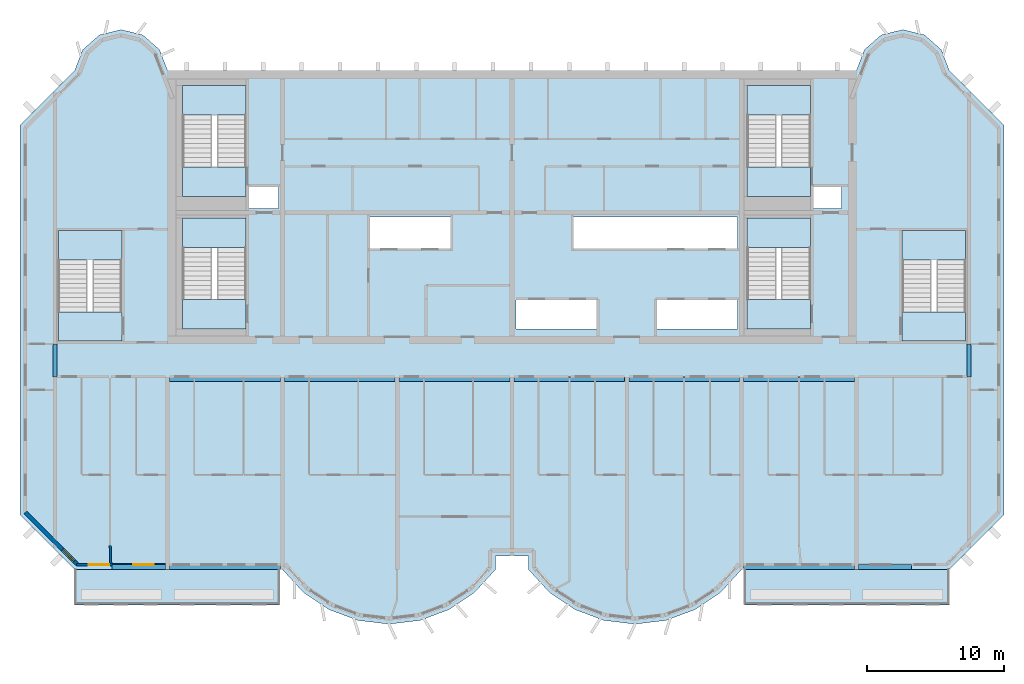
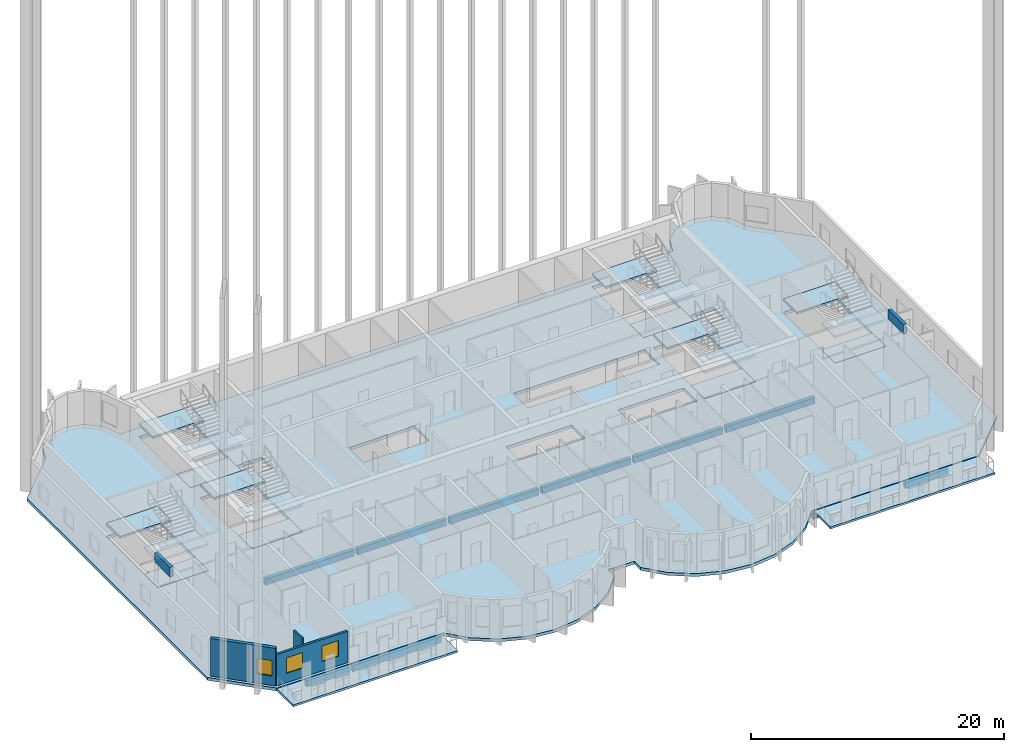
# One storey, part 1 of 13: 21 slabs, 12 beams, 3 walls, 3 windows, 3 openings, 6 elements without a shape of their own.
"""IFC4 building model written with IfcOpenShell, lengths in metres."""

from ifc_helpers import new_model, si_unit, direction, frame, frame_2d, origin, origin_2d, place, context, subcontext, project, spatial, polyline, rectangle, outline, extrude, source, transform, mapped, material, layer, layer_set, material_profile, profile_set, type_object, element, fill, aggregate, save


model = new_model("IFC4")

# Units and contexts
model_context = context("Model", 3, precision=1e-05, world=origin(), true_north=direction((0.0, 1.0)))
body_context = subcontext(model_context, "Body", "Model", "MODEL_VIEW")
ifc_project = project(units=[si_unit("LENGTHUNIT", "METRE"), si_unit("AREAUNIT", "SQUARE_METRE"), si_unit("VOLUMEUNIT", "CUBIC_METRE"), si_unit("PLANEANGLEUNIT", "RADIAN"), si_unit("MASSUNIT", "GRAM", prefix="KILO")], contexts=[model_context])

# Site, building, storey
site_placement = place(None, origin())
site = spatial("IfcSite", under=ifc_project, at=site_placement, CompositionType="ELEMENT")
building_placement = place(site_placement, origin())
building = spatial("IfcBuilding", under=site, at=building_placement, Name="Vanashikhar Sky Hotel", CompositionType="ELEMENT")
storey_placement = place(building_placement, frame((0.0, 0.0, 214.0)))
storey = spatial("IfcBuildingStorey", under=building, at=storey_placement, Name="L51", CompositionType="ELEMENT", Elevation=214.0)

# Beams
ifc_material_1 = material(Name="Concrete M50", Category="concrete")
ifc_material_profile_1 = material_profile(ifc_material_1, rectangle(XDim=0.300048828125, YDim=0.89990234375, at=origin_2d()))
ifc_profile_set_1 = profile_set([ifc_material_profile_1], Name="RC 300x900 beam Concrete M50")
beam_type_1 = type_object("IfcBeamType", Name="RC 300x900 beam Concrete M50", PredefinedType="LINTEL", material=ifc_profile_set_1)
shared_shape_1 = source(origin(), body_context, "Body", "SweptSolid", [
    extrude(rectangle(XDim=0.300048828125, YDim=0.89990234375, at=origin_2d()), origin(), (0.0, 0.0, 1.0), 2.39990234375),
])
for number, where, z_axis, x_axis, name in (
    (1, (16.949951171875, 19.60009765625, 3.169921875), (0.0, 1.0, 0.0), (-1.0, 0.0, 0.0), "LB-L51-XW03"),
    (2, (83.85009765625, 19.60009765625, 3.169921875), (0.0, 1.0, 0.0), (-1.0, 0.0, 0.0), "LB-L51-XW11"),
):
    element("IfcBeam", number, at=place(storey_placement, frame(where, z_axis=z_axis, x_axis=x_axis)), inside=storey, type_object=beam_type_1, Name=name, PredefinedType="LINTEL", context=body_context, shape_type="MappedRepresentation", body=[
        mapped(shared_shape_1, transform((0.0, 0.0, 0.0), scale=1.0)),
    ])
ifc_material_profile_2 = material_profile(ifc_material_1, rectangle(XDim=0.35009765625, YDim=0.60009765625, at=origin_2d()))
ifc_profile_set_2 = profile_set([ifc_material_profile_2], Name="RC 350x600 beam Concrete M50")
beam_type_2 = type_object("IfcBeamType", Name="RC 350x600 beam Concrete M50", PredefinedType="SPANDREL", material=ifc_profile_set_2)
shared_shape_2 = source(origin(), body_context, "Body", "SweptSolid", [
    extrude(rectangle(XDim=0.35009765625, YDim=0.60009765625, at=origin_2d()), origin(), (0.0, 0.0, 1.0), 8.099853515625),
])
for number, where, z_axis, x_axis, name in (
    (3, (25.35009765625, 5.675048828125, -0.580078125), (1.0, 0.0, 0.0), (0.0, 1.0, 0.0), "EB-L51-F01"),
    (4, (67.35009765625, 5.675048828125, -0.580078125), (1.0, 0.0, 0.0), (0.0, 1.0, 0.0), "EB-L51-F03"),
    (5, (25.35009765625, 19.425048828125, -0.580078125), (1.0, 0.0, 0.0), (0.0, 1.0, 0.0), "CB-L51-01"),
    (6, (50.550048828125, 19.425048828125, -0.580078125), (1.0, 0.0, 0.0), (0.0, 1.0, 0.0), "CB-L51-04"),
    (7, (67.35009765625, 19.425048828125, -0.580078125), (1.0, 0.0, 0.0), (0.0, 1.0, 0.0), "CB-L51-06"),
):
    element("IfcBeam", number, at=place(storey_placement, frame(where, z_axis=z_axis, x_axis=x_axis)), inside=storey, type_object=beam_type_2, Name=name, PredefinedType="SPANDREL", context=body_context, shape_type="MappedRepresentation", body=[
        mapped(shared_shape_2, transform((0.0, 0.0, 0.0), scale=1.0)),
    ])
ifc_material_profile_3 = material_profile(ifc_material_1, rectangle(XDim=0.35009765625, YDim=0.60009765625, at=origin_2d()))
ifc_profile_set_3 = profile_set([ifc_material_profile_3], Name="RC 350x600 cantilever beam Concrete M50")
beam_type_3 = type_object("IfcBeamType", Name="RC 350x600 cantilever beam Concrete M50", PredefinedType="SPANDREL", material=ifc_profile_set_3)
shared_shape_3 = source(origin(), body_context, "Body", "SweptSolid", [
    extrude(rectangle(XDim=0.35009765625, YDim=0.60009765625, at=origin_2d()), origin(), (0.0, 0.0, 1.0), 3.900146484375),
])
beam_1_placement = place(storey_placement, frame((21.14990234375, 5.675048828125, -0.580078125), z_axis=(1.0, 0.0, 0.0), x_axis=(0.0, 1.0, 0.0)))
element("IfcBeam", 8, at=beam_1_placement, inside=storey, type_object=beam_type_3, Name="EB-L51-F02", PredefinedType="SPANDREL", context=body_context, shape_type="MappedRepresentation", body=[
    mapped(shared_shape_3, transform((0.0, 0.0, 0.0), scale=1.0)),
])
shared_shape_4 = source(origin(), body_context, "Body", "SweptSolid", [
    extrude(rectangle(XDim=0.35009765625, YDim=0.60009765625, at=origin_2d()), origin(), (0.0, 0.0, 1.0), 3.89990234375),
])
beam_2_placement = place(storey_placement, frame((75.75, 5.675048828125, -0.580078125), z_axis=(1.0, 0.0, 0.0), x_axis=(0.0, 1.0, 0.0)))
element("IfcBeam", 9, at=beam_2_placement, inside=storey, type_object=beam_type_3, Name="EB-L51-F04", PredefinedType="SPANDREL", context=body_context, shape_type="MappedRepresentation", body=[
    mapped(shared_shape_4, transform((0.0, 0.0, 0.0), scale=1.0)),
])
shared_shape_5 = source(origin(), body_context, "Body", "SweptSolid", [
    extrude(rectangle(XDim=0.35009765625, YDim=0.60009765625, at=origin_2d()), origin(), (0.0, 0.0, 1.0), 8.10009765625),
])
for number, where, z_axis, x_axis, name in (
    (10, (33.75, 19.425048828125, -0.580078125), (1.0, 0.0, 0.0), (0.0, 1.0, 0.0), "CB-L51-02"),
    (11, (42.14990234375, 19.425048828125, -0.580078125), (1.0, 0.0, 0.0), (0.0, 1.0, 0.0), "CB-L51-03"),
    (12, (58.949951171875, 19.425048828125, -0.580078125), (1.0, 0.0, 0.0), (0.0, 1.0, 0.0), "CB-L51-05"),
):
    element("IfcBeam", number, at=place(storey_placement, frame(where, z_axis=z_axis, x_axis=x_axis)), inside=storey, type_object=beam_type_2, Name=name, PredefinedType="SPANDREL", context=body_context, shape_type="MappedRepresentation", body=[
        mapped(shared_shape_5, transform((0.0, 0.0, 0.0), scale=1.0)),
    ])

# Slabs
ifc_material_2 = material(Name="Concrete M40", Category="concrete")
ifc_layer_1 = layer(ifc_material_2, 0.280029296875)
ifc_layer_set_1 = layer_set([ifc_layer_1], Name="Floor slab 280 mm")
slab_type_1 = type_object("IfcSlabType", Name="Floor slab 280 mm", PredefinedType="FLOOR", material=ifc_layer_set_1)
shared_shape_6 = source(origin(), body_context, "Body", "SweptSolid", [
    extrude(outline(polyline([(49.199951171875, 5.5), (49.199951171875, 6.5), (51.60009765625, 6.5), (51.60009765625, 5.5), (53.133056640625, 3.825927734375), (55.01708984375, 2.55810546875), (57.14599609375, 1.76806640625), (59.39990234375, 1.5), (61.654052734375, 1.76806640625), (63.782958984375, 2.55810546875), (65.6669921875, 3.825927734375), (67.199951171875, 5.5), (82.39990234375, 5.5), (86.39990234375, 9.5), (86.39990234375, 38.0), (82.39990234375, 42.0), (81.81494140625, 43.527099609375), (80.587890625, 44.610107421875), (79.0, 45.0), (77.412109375, 44.610107421875), (76.18505859375, 43.527099609375), (75.60009765625, 42.0), (25.199951171875, 42.0), (24.614990234375, 43.527099609375), (23.387939453125, 44.610107421875), (21.800048828125, 45.0), (20.2119140625, 44.610107421875), (18.985107421875, 43.527099609375), (18.39990234375, 42.0), (14.39990234375, 38.0), (14.39990234375, 9.5), (18.39990234375, 5.5), (33.60009765625, 5.5), (35.133056640625, 3.825927734375), (37.01708984375, 2.55810546875), (39.14599609375, 1.76806640625), (41.39990234375, 1.5), (43.654052734375, 1.76806640625), (45.782958984375, 2.55810546875), (47.6669921875, 3.825927734375), (49.199951171875, 5.5)]), holes=[polyline([(33.300048828125, 33.60009765625), (31.050048828125, 33.60009765625), (31.050048828125, 31.89990234375), (33.300048828125, 31.89990234375), (33.300048828125, 33.60009765625)]), polyline([(39.89990234375, 31.300048828125), (39.89990234375, 29.0), (45.89990234375, 29.0), (45.89990234375, 31.300048828125), (39.89990234375, 31.300048828125)]), polyline([(50.699951171875, 25.199951171875), (50.699951171875, 23.10009765625), (56.699951171875, 23.10009765625), (56.699951171875, 25.199951171875), (50.699951171875, 25.199951171875)]), polyline([(66.89990234375, 29.0), (66.89990234375, 31.300048828125), (54.89990234375, 31.300048828125), (54.89990234375, 29.0), (66.89990234375, 29.0)]), polyline([(60.89990234375, 25.199951171875), (60.89990234375, 23.10009765625), (66.89990234375, 23.10009765625), (66.89990234375, 25.199951171875), (60.89990234375, 25.199951171875)]), polyline([(74.5, 33.60009765625), (72.35009765625, 33.60009765625), (72.35009765625, 31.89990234375), (74.5, 31.89990234375), (74.5, 33.60009765625)]), polyline([(30.949951171875, 23.10009765625), (30.949951171875, 31.199951171875), (26.300048828125, 31.199951171875), (26.300048828125, 23.10009765625), (30.949951171875, 23.10009765625)]), polyline([(72.25, 23.10009765625), (72.25, 31.199951171875), (67.60009765625, 31.199951171875), (67.60009765625, 23.10009765625), (72.25, 23.10009765625)]), polyline([(30.949951171875, 32.800048828125), (30.949951171875, 40.89990234375), (26.300048828125, 40.89990234375), (26.300048828125, 32.800048828125), (30.949951171875, 32.800048828125)]), polyline([(72.25, 32.800048828125), (72.25, 40.89990234375), (67.60009765625, 40.89990234375), (67.60009765625, 32.800048828125), (72.25, 32.800048828125)]), polyline([(83.60009765625, 22.199951171875), (83.60009765625, 30.300048828125), (78.949951171875, 30.300048828125), (78.949951171875, 22.199951171875), (83.60009765625, 22.199951171875)]), polyline([(21.85009765625, 22.199951171875), (21.85009765625, 30.300048828125), (17.199951171875, 30.300048828125), (17.199951171875, 22.199951171875), (21.85009765625, 22.199951171875)])]), origin(), (0.0, 0.0, 1.0), 0.280029296875),
])
slab_1_placement = place(storey_placement, frame((0.0, 0.0, -0.280029296875)))
element("IfcSlab", 13, at=slab_1_placement, inside=storey, type_object=slab_type_1, Name="Floor slab L51", PredefinedType="FLOOR", context=body_context, shape_type="MappedRepresentation", body=[
    mapped(shared_shape_6, transform((0.0, 0.0, 0.0), scale=1.0)),
])
ifc_layer_2 = layer(ifc_material_2, 0.199951171875)
ifc_layer_set_2 = layer_set([ifc_layer_2], Name="Balcony slab 200 mm")
slab_type_2 = type_object("IfcSlabType", Name="Balcony slab 200 mm", PredefinedType="USERDEFINED", material=ifc_layer_set_2)
shared_shape_7 = source(origin(), body_context, "Body", "SweptSolid", [
    extrude(outline(polyline([(18.39990234375, 2.89990234375), (33.39990234375, 2.89990234375), (33.39990234375, 5.5), (18.39990234375, 5.5), (18.39990234375, 2.89990234375)])), origin(), (0.0, 0.0, 1.0), 0.199951171875),
])
slab_2_placement = place(storey_placement, frame((0.0, 0.0, -0.25)))
element("IfcSlab", 14, at=slab_2_placement, inside=storey, type_object=slab_type_2, Name="Balcony slab L51 1", ObjectType="BALCONY", PredefinedType="USERDEFINED", context=body_context, shape_type="MappedRepresentation", body=[
    mapped(shared_shape_7, transform((0.0, 0.0, 0.0), scale=1.0)),
])
shared_shape_8 = source(origin(), body_context, "Body", "SweptSolid", [
    extrude(outline(polyline([(67.39990234375, 2.89990234375), (82.39990234375, 2.89990234375), (82.39990234375, 5.5), (67.39990234375, 5.5), (67.39990234375, 2.89990234375)])), origin(), (0.0, 0.0, 1.0), 0.199951171875),
])
slab_3_placement = place(storey_placement, frame((0.0, 0.0, -0.25)))
element("IfcSlab", 15, at=slab_3_placement, inside=storey, type_object=slab_type_2, Name="Balcony slab L51 2", ObjectType="BALCONY", PredefinedType="USERDEFINED", context=body_context, shape_type="MappedRepresentation", body=[
    mapped(shared_shape_8, transform((0.0, 0.0, 0.0), scale=1.0)),
])

# Stair, slabs
stair_type = type_object("IfcStairType", Name="Exit stair 2150", PredefinedType="DOUBLE_RETURN_STAIR", material=ifc_material_2)
stair_1_placement = place(storey_placement, origin())
stair_1 = element("IfcStair", 16, at=stair_1_placement, inside=storey, type_object=stair_type, Name="L51 Exit stair 1", PredefinedType="DOUBLE_RETURN_STAIR")
ifc_layer_3 = layer(ifc_material_2, 0.199951171875)
ifc_layer_set_3 = layer_set([ifc_layer_3], Name="Stair landing 200")
slab_type_3 = type_object("IfcSlabType", Name="Stair landing 200", PredefinedType="LANDING", material=ifc_layer_set_3)
shared_shape_9 = source(origin(), body_context, "Body", "SweptSolid", [
    extrude(outline(polyline([(30.949951171875, 29.050048828125), (30.949951171875, 31.199951171875), (26.300048828125, 31.199951171875), (26.300048828125, 29.050048828125), (30.949951171875, 29.050048828125)])), origin(), (0.0, 0.0, 1.0), 0.199951171875),
])
slab_4_placement = place(storey_placement, frame((0.0, 0.0, 1.10009765625)))
slab_4 = element("IfcSlab", 17, at=slab_4_placement, type_object=slab_type_3, Name="ST-C1 landing 1", PredefinedType="LANDING", context=body_context, shape_type="MappedRepresentation", body=[
    mapped(shared_shape_9, transform((0.0, 0.0, 0.0), scale=1.0)),
])
shared_shape_10 = source(origin(), body_context, "Body", "SweptSolid", [
    extrude(outline(polyline([(30.949951171875, 23.10009765625), (30.949951171875, 25.25), (26.300048828125, 25.25), (26.300048828125, 23.10009765625), (30.949951171875, 23.10009765625)])), origin(), (0.0, 0.0, 1.0), 0.2001953125),
])
slab_5_placement = place(storey_placement, frame((0.0, 0.0, 2.39990234375)))
slab_5 = element("IfcSlab", 18, at=slab_5_placement, type_object=slab_type_3, Name="ST-C1 landing 2", PredefinedType="LANDING", context=body_context, shape_type="MappedRepresentation", body=[
    mapped(shared_shape_10, transform((0.0, 0.0, 0.0), scale=1.0)),
])
aggregate(stair_1, [slab_4, slab_5])

# Slab
ifc_layer_4 = layer(ifc_material_2, 0.280029296875)
ifc_layer_set_4 = layer_set([ifc_layer_4], Name="Stair floor landing 280")
slab_type_4 = type_object("IfcSlabType", Name="Stair floor landing 280", PredefinedType="LANDING", material=ifc_layer_set_4)
shared_shape_11 = source(origin(), body_context, "Body", "SweptSolid", [
    extrude(outline(polyline([(30.949951171875, 23.10009765625), (30.949951171875, 25.25), (26.300048828125, 25.25), (26.300048828125, 23.10009765625), (30.949951171875, 23.10009765625)])), origin(), (0.0, 0.0, 1.0), 0.280029296875),
])
slab_6_placement = place(storey_placement, frame((0.0, 0.0, -0.280029296875)))
element("IfcSlab", 19, at=slab_6_placement, inside=storey, type_object=slab_type_4, Name="Exit stair 1 floor landing", PredefinedType="LANDING", context=body_context, shape_type="MappedRepresentation", body=[
    mapped(shared_shape_11, transform((0.0, 0.0, 0.0), scale=1.0)),
])

# Stair, slabs
stair_2_placement = place(storey_placement, origin())
stair_2 = element("IfcStair", 20, at=stair_2_placement, inside=storey, type_object=stair_type, Name="L51 Exit stair 2", PredefinedType="DOUBLE_RETURN_STAIR")
shared_shape_12 = source(origin(), body_context, "Body", "SweptSolid", [
    extrude(outline(polyline([(72.25, 29.050048828125), (72.25, 31.199951171875), (67.60009765625, 31.199951171875), (67.60009765625, 29.050048828125), (72.25, 29.050048828125)])), origin(), (0.0, 0.0, 1.0), 0.199951171875),
])
slab_7_placement = place(storey_placement, frame((0.0, 0.0, 1.10009765625)))
slab_7 = element("IfcSlab", 21, at=slab_7_placement, type_object=slab_type_3, Name="ST-C2 landing 1", PredefinedType="LANDING", context=body_context, shape_type="MappedRepresentation", body=[
    mapped(shared_shape_12, transform((0.0, 0.0, 0.0), scale=1.0)),
])
shared_shape_13 = source(origin(), body_context, "Body", "SweptSolid", [
    extrude(outline(polyline([(72.25, 23.10009765625), (72.25, 25.25), (67.60009765625, 25.25), (67.60009765625, 23.10009765625), (72.25, 23.10009765625)])), origin(), (0.0, 0.0, 1.0), 0.2001953125),
])
slab_8_placement = place(storey_placement, frame((0.0, 0.0, 2.39990234375)))
slab_8 = element("IfcSlab", 22, at=slab_8_placement, type_object=slab_type_3, Name="ST-C2 landing 2", PredefinedType="LANDING", context=body_context, shape_type="MappedRepresentation", body=[
    mapped(shared_shape_13, transform((0.0, 0.0, 0.0), scale=1.0)),
])
aggregate(stair_2, [slab_7, slab_8])

# Slab
shared_shape_14 = source(origin(), body_context, "Body", "SweptSolid", [
    extrude(outline(polyline([(72.25, 23.10009765625), (72.25, 25.25), (67.60009765625, 25.25), (67.60009765625, 23.10009765625), (72.25, 23.10009765625)])), origin(), (0.0, 0.0, 1.0), 0.280029296875),
])
slab_9_placement = place(storey_placement, frame((0.0, 0.0, -0.280029296875)))
element("IfcSlab", 23, at=slab_9_placement, inside=storey, type_object=slab_type_4, Name="Exit stair 2 floor landing", PredefinedType="LANDING", context=body_context, shape_type="MappedRepresentation", body=[
    mapped(shared_shape_14, transform((0.0, 0.0, 0.0), scale=1.0)),
])

# Stair, slabs
stair_3_placement = place(storey_placement, origin())
stair_3 = element("IfcStair", 24, at=stair_3_placement, inside=storey, type_object=stair_type, Name="L51 Exit stair 3", PredefinedType="DOUBLE_RETURN_STAIR")
shared_shape_15 = source(origin(), body_context, "Body", "SweptSolid", [
    extrude(outline(polyline([(21.85009765625, 28.14990234375), (21.85009765625, 30.300048828125), (17.199951171875, 30.300048828125), (17.199951171875, 28.14990234375), (21.85009765625, 28.14990234375)])), origin(), (0.0, 0.0, 1.0), 0.199951171875),
])
slab_10_placement = place(storey_placement, frame((0.0, 0.0, 1.10009765625)))
slab_10 = element("IfcSlab", 25, at=slab_10_placement, type_object=slab_type_3, Name="ST-W landing 1", PredefinedType="LANDING", context=body_context, shape_type="MappedRepresentation", body=[
    mapped(shared_shape_15, transform((0.0, 0.0, 0.0), scale=1.0)),
])
shared_shape_16 = source(origin(), body_context, "Body", "SweptSolid", [
    extrude(outline(polyline([(21.85009765625, 22.199951171875), (21.85009765625, 24.35009765625), (17.199951171875, 24.35009765625), (17.199951171875, 22.199951171875), (21.85009765625, 22.199951171875)])), origin(), (0.0, 0.0, 1.0), 0.2001953125),
])
slab_11_placement = place(storey_placement, frame((0.0, 0.0, 2.39990234375)))
slab_11 = element("IfcSlab", 26, at=slab_11_placement, type_object=slab_type_3, Name="ST-W landing 2", PredefinedType="LANDING", context=body_context, shape_type="MappedRepresentation", body=[
    mapped(shared_shape_16, transform((0.0, 0.0, 0.0), scale=1.0)),
])
aggregate(stair_3, [slab_10, slab_11])

# Slab
shared_shape_17 = source(origin(), body_context, "Body", "SweptSolid", [
    extrude(outline(polyline([(21.85009765625, 22.199951171875), (21.85009765625, 24.35009765625), (17.199951171875, 24.35009765625), (17.199951171875, 22.199951171875), (21.85009765625, 22.199951171875)])), origin(), (0.0, 0.0, 1.0), 0.280029296875),
])
slab_12_placement = place(storey_placement, frame((0.0, 0.0, -0.280029296875)))
element("IfcSlab", 27, at=slab_12_placement, inside=storey, type_object=slab_type_4, Name="Exit stair 3 floor landing", PredefinedType="LANDING", context=body_context, shape_type="MappedRepresentation", body=[
    mapped(shared_shape_17, transform((0.0, 0.0, 0.0), scale=1.0)),
])

# Stair, slabs
stair_4_placement = place(storey_placement, origin())
stair_4 = element("IfcStair", 28, at=stair_4_placement, inside=storey, type_object=stair_type, Name="L51 Exit stair 4", PredefinedType="DOUBLE_RETURN_STAIR")
shared_shape_18 = source(origin(), body_context, "Body", "SweptSolid", [
    extrude(outline(polyline([(83.60009765625, 28.14990234375), (83.60009765625, 30.300048828125), (78.949951171875, 30.300048828125), (78.949951171875, 28.14990234375), (83.60009765625, 28.14990234375)])), origin(), (0.0, 0.0, 1.0), 0.199951171875),
])
slab_13_placement = place(storey_placement, frame((0.0, 0.0, 1.10009765625)))
slab_13 = element("IfcSlab", 29, at=slab_13_placement, type_object=slab_type_3, Name="ST-E landing 1", PredefinedType="LANDING", context=body_context, shape_type="MappedRepresentation", body=[
    mapped(shared_shape_18, transform((0.0, 0.0, 0.0), scale=1.0)),
])
shared_shape_19 = source(origin(), body_context, "Body", "SweptSolid", [
    extrude(outline(polyline([(83.60009765625, 22.199951171875), (83.60009765625, 24.35009765625), (78.949951171875, 24.35009765625), (78.949951171875, 22.199951171875), (83.60009765625, 22.199951171875)])), origin(), (0.0, 0.0, 1.0), 0.2001953125),
])
slab_14_placement = place(storey_placement, frame((0.0, 0.0, 2.39990234375)))
slab_14 = element("IfcSlab", 30, at=slab_14_placement, type_object=slab_type_3, Name="ST-E landing 2", PredefinedType="LANDING", context=body_context, shape_type="MappedRepresentation", body=[
    mapped(shared_shape_19, transform((0.0, 0.0, 0.0), scale=1.0)),
])
aggregate(stair_4, [slab_13, slab_14])

# Slab
shared_shape_20 = source(origin(), body_context, "Body", "SweptSolid", [
    extrude(outline(polyline([(83.60009765625, 22.199951171875), (83.60009765625, 24.35009765625), (78.949951171875, 24.35009765625), (78.949951171875, 22.199951171875), (83.60009765625, 22.199951171875)])), origin(), (0.0, 0.0, 1.0), 0.280029296875),
])
slab_15_placement = place(storey_placement, frame((0.0, 0.0, -0.280029296875)))
element("IfcSlab", 31, at=slab_15_placement, inside=storey, type_object=slab_type_4, Name="Exit stair 4 floor landing", PredefinedType="LANDING", context=body_context, shape_type="MappedRepresentation", body=[
    mapped(shared_shape_20, transform((0.0, 0.0, 0.0), scale=1.0)),
])

# Stair, slabs
stair_5_placement = place(storey_placement, origin())
stair_5 = element("IfcStair", 32, at=stair_5_placement, inside=storey, type_object=stair_type, Name="L51 Exit stair 5", PredefinedType="DOUBLE_RETURN_STAIR")
shared_shape_21 = source(origin(), body_context, "Body", "SweptSolid", [
    extrude(outline(polyline([(30.949951171875, 38.75), (30.949951171875, 40.89990234375), (26.300048828125, 40.89990234375), (26.300048828125, 38.75), (30.949951171875, 38.75)])), origin(), (0.0, 0.0, 1.0), 0.199951171875),
])
slab_16_placement = place(storey_placement, frame((0.0, 0.0, 1.10009765625)))
slab_16 = element("IfcSlab", 33, at=slab_16_placement, type_object=slab_type_3, Name="ST-C3 landing 1", PredefinedType="LANDING", context=body_context, shape_type="MappedRepresentation", body=[
    mapped(shared_shape_21, transform((0.0, 0.0, 0.0), scale=1.0)),
])
shared_shape_22 = source(origin(), body_context, "Body", "SweptSolid", [
    extrude(outline(polyline([(30.949951171875, 32.800048828125), (30.949951171875, 34.949951171875), (26.300048828125, 34.949951171875), (26.300048828125, 32.800048828125), (30.949951171875, 32.800048828125)])), origin(), (0.0, 0.0, 1.0), 0.2001953125),
])
slab_17_placement = place(storey_placement, frame((0.0, 0.0, 2.39990234375)))
slab_17 = element("IfcSlab", 34, at=slab_17_placement, type_object=slab_type_3, Name="ST-C3 landing 2", PredefinedType="LANDING", context=body_context, shape_type="MappedRepresentation", body=[
    mapped(shared_shape_22, transform((0.0, 0.0, 0.0), scale=1.0)),
])
aggregate(stair_5, [slab_16, slab_17])

# Slab
shared_shape_23 = source(origin(), body_context, "Body", "SweptSolid", [
    extrude(outline(polyline([(30.949951171875, 32.800048828125), (30.949951171875, 34.949951171875), (26.300048828125, 34.949951171875), (26.300048828125, 32.800048828125), (30.949951171875, 32.800048828125)])), origin(), (0.0, 0.0, 1.0), 0.280029296875),
])
slab_18_placement = place(storey_placement, frame((0.0, 0.0, -0.280029296875)))
element("IfcSlab", 35, at=slab_18_placement, inside=storey, type_object=slab_type_4, Name="Exit stair 5 floor landing", PredefinedType="LANDING", context=body_context, shape_type="MappedRepresentation", body=[
    mapped(shared_shape_23, transform((0.0, 0.0, 0.0), scale=1.0)),
])

# Stair, slabs
stair_6_placement = place(storey_placement, origin())
stair_6 = element("IfcStair", 36, at=stair_6_placement, inside=storey, type_object=stair_type, Name="L51 Exit stair 6", PredefinedType="DOUBLE_RETURN_STAIR")
shared_shape_24 = source(origin(), body_context, "Body", "SweptSolid", [
    extrude(outline(polyline([(72.25, 38.75), (72.25, 40.89990234375), (67.60009765625, 40.89990234375), (67.60009765625, 38.75), (72.25, 38.75)])), origin(), (0.0, 0.0, 1.0), 0.199951171875),
])
slab_19_placement = place(storey_placement, frame((0.0, 0.0, 1.10009765625)))
slab_19 = element("IfcSlab", 37, at=slab_19_placement, type_object=slab_type_3, Name="ST-C4 landing 1", PredefinedType="LANDING", context=body_context, shape_type="MappedRepresentation", body=[
    mapped(shared_shape_24, transform((0.0, 0.0, 0.0), scale=1.0)),
])
shared_shape_25 = source(origin(), body_context, "Body", "SweptSolid", [
    extrude(outline(polyline([(72.25, 32.800048828125), (72.25, 34.949951171875), (67.60009765625, 34.949951171875), (67.60009765625, 32.800048828125), (72.25, 32.800048828125)])), origin(), (0.0, 0.0, 1.0), 0.2001953125),
])
slab_20_placement = place(storey_placement, frame((0.0, 0.0, 2.39990234375)))
slab_20 = element("IfcSlab", 38, at=slab_20_placement, type_object=slab_type_3, Name="ST-C4 landing 2", PredefinedType="LANDING", context=body_context, shape_type="MappedRepresentation", body=[
    mapped(shared_shape_25, transform((0.0, 0.0, 0.0), scale=1.0)),
])
aggregate(stair_6, [slab_19, slab_20])

# Slab
shared_shape_26 = source(origin(), body_context, "Body", "SweptSolid", [
    extrude(outline(polyline([(72.25, 32.800048828125), (72.25, 34.949951171875), (67.60009765625, 34.949951171875), (67.60009765625, 32.800048828125), (72.25, 32.800048828125)])), origin(), (0.0, 0.0, 1.0), 0.280029296875),
])
slab_21_placement = place(storey_placement, frame((0.0, 0.0, -0.280029296875)))
element("IfcSlab", 39, at=slab_21_placement, inside=storey, type_object=slab_type_4, Name="Exit stair 6 floor landing", PredefinedType="LANDING", context=body_context, shape_type="MappedRepresentation", body=[
    mapped(shared_shape_26, transform((0.0, 0.0, 0.0), scale=1.0)),
])

# Wall, openings, windows
ifc_layer_5 = layer(ifc_material_1, 0.199951171875)
ifc_layer_set_5 = layer_set([ifc_layer_5], Name="Front window wall 200")
wall_type_1 = type_object("IfcWallType", Name="Front window wall 200", PredefinedType="SOLIDWALL", material=ifc_layer_set_5)
shared_shape_27 = source(origin(), body_context, "Body", "SweptSolid", [
    extrude(rectangle(XDim=6.505126953125, YDim=0.199951171875, at=frame_2d((3.25244140625, 0.0))), origin(), (0.0, 0.0, 1.0), 3.02001953125),
])
wall_1_placement = place(storey_placement, frame((18.544921875, 5.85009765625, 0.0), z_axis=(0.0, 0.0, 1.0), x_axis=(1.0, 0.0, 0.0)))
wall_1 = element("IfcWall", 40, at=wall_1_placement, inside=storey, type_object=wall_type_1, Name="Front window wall", PredefinedType="SOLIDWALL", context=body_context, shape_type="MappedRepresentation", body=[
    mapped(shared_shape_27, transform((0.0, 0.0, 0.0), scale=1.0)),
])
shared_shape_28 = source(origin(), body_context, "Body", "SweptSolid", [
    extrude(rectangle(XDim=1.5, YDim=1.5, at=frame_2d((0.75, 0.75))), frame((0.0, 0.10986328125, 0.0), z_axis=(0.0, -1.0, 0.0), x_axis=(1.0, 0.0, 0.0)), (0.0, 0.0, 1.0), 0.219970703125),
])
opening_1_placement = place(wall_1_placement, frame((0.876220703125, 0.0, 0.89990234375)))
opening_1 = element("IfcOpeningElement", 41, at=opening_1_placement, cuts=wall_1, Name="Opening WN-1", PredefinedType="OPENING", context=body_context, shape_type="MappedRepresentation", body=[
    mapped(shared_shape_28, transform((0.0, 0.0, 0.0), scale=1.0)),
])
opening_2_placement = place(wall_1_placement, frame((4.128662109375, 0.0, 0.89990234375)))
opening_2 = element("IfcOpeningElement", 42, at=opening_2_placement, cuts=wall_1, Name="Opening WN-1", PredefinedType="OPENING", context=body_context, shape_type="MappedRepresentation", body=[
    mapped(shared_shape_28, transform((0.0, 0.0, 0.0), scale=1.0)),
])
ifc_material_3 = material(Name="Glass", Category="glass")
window_type_1 = type_object("IfcWindowType", Name="Window 1500 x 1500", PartitioningType="SINGLE_PANEL", PredefinedType="WINDOW", material=ifc_material_3)
shared_shape_29 = source(origin(), body_context, "Body", "SweptSolid", [
    extrude(rectangle(XDim=1.5, YDim=1.5, at=frame_2d((0.75, 0.75))), frame((0.0, 0.030029296875, 0.0), z_axis=(0.0, -1.0, 0.0), x_axis=(1.0, 0.0, 0.0)), (0.0, 0.0, 1.0), 0.06005859375),
])
window_1_placement = place(opening_1_placement, origin())
window_1 = element("IfcWindow", 43, at=window_1_placement, inside=storey, type_object=window_type_1, Name="Window WN-1", OverallHeight=1.5, OverallWidth=1.5, PartitioningType="SINGLE_PANEL", PredefinedType="WINDOW", context=body_context, shape_type="MappedRepresentation", body=[
    mapped(shared_shape_29, transform((0.0, 0.0, 0.0), scale=1.0)),
])
fill(opening_1, window_1)
window_2_placement = place(opening_2_placement, origin())
window_2 = element("IfcWindow", 44, at=window_2_placement, inside=storey, type_object=window_type_1, Name="Window WN-1", OverallHeight=1.5, OverallWidth=1.5, PartitioningType="SINGLE_PANEL", PredefinedType="WINDOW", context=body_context, shape_type="MappedRepresentation", body=[
    mapped(shared_shape_29, transform((0.0, 0.0, 0.0), scale=1.0)),
])
fill(opening_2, window_2)

# Wall, opening, window
ifc_layer_6 = layer(ifc_material_1, 0.300048828125)
ifc_layer_set_6 = layer_set([ifc_layer_6], Name="Lobe wall 300")
wall_type_2 = type_object("IfcWallType", Name="Lobe wall 300", PredefinedType="SOLIDWALL", material=ifc_layer_set_6)
shared_shape_30 = source(origin(), body_context, "Body", "SweptSolid", [
    extrude(rectangle(XDim=5.32568359375, YDim=0.300048828125, at=frame_2d((2.662841796875, 0.0))), origin(), (0.0, 0.0, 1.0), 3.6201171875),
])
wall_2_placement = place(storey_placement, frame((14.800048828125, 9.665771484375, 0.0), z_axis=(0.0, 0.0, 1.0), x_axis=(0.707083859269, -0.707129702361, 0.0)))
wall_2 = element("IfcWall", 45, at=wall_2_placement, inside=storey, type_object=wall_type_2, Name="Corner wall", PredefinedType="SOLIDWALL", context=body_context, shape_type="MappedRepresentation", body=[
    mapped(shared_shape_30, transform((0.0, 0.0, 0.0), scale=1.0)),
])
shared_shape_31 = source(origin(), body_context, "Body", "SweptSolid", [
    extrude(rectangle(XDim=1.199951171875, YDim=1.5, at=frame_2d((0.60009765625, 0.75))), frame((0.0, 0.16015625, 0.0), z_axis=(0.0, -1.0, 0.0), x_axis=(1.0, 0.0, 0.0)), (0.0, 0.0, 1.0), 0.320068359375),
])
opening_3_placement = place(wall_2_placement, frame((3.8330078125, 0.0, 0.89990234375)))
opening_3 = element("IfcOpeningElement", 46, at=opening_3_placement, cuts=wall_2, Name="Opening WN-3", PredefinedType="OPENING", context=body_context, shape_type="MappedRepresentation", body=[
    mapped(shared_shape_31, transform((0.0, 0.0, 0.0), scale=1.0)),
])
window_type_2 = type_object("IfcWindowType", Name="Corridor end window 1200 x 1500", PartitioningType="SINGLE_PANEL", PredefinedType="WINDOW", material=ifc_material_3)
shared_shape_32 = source(origin(), body_context, "Body", "SweptSolid", [
    extrude(rectangle(XDim=1.199951171875, YDim=1.5, at=frame_2d((0.60009765625, 0.75))), frame((0.0, 0.030029296875, 0.0), z_axis=(0.0, -1.0, 0.0), x_axis=(1.0, 0.0, 0.0)), (0.0, 0.0, 1.0), 0.06005859375),
])
window_3_placement = place(opening_3_placement, origin())
window_3 = element("IfcWindow", 47, at=window_3_placement, inside=storey, type_object=window_type_2, Name="Window WN-3", OverallHeight=1.5, OverallWidth=1.199951171875, PartitioningType="SINGLE_PANEL", PredefinedType="WINDOW", context=body_context, shape_type="MappedRepresentation", body=[
    mapped(shared_shape_32, transform((0.0, 0.0, 0.0), scale=1.0)),
])
fill(opening_3, window_3)

# Wall
ifc_material_4 = material(Name="Gypsum plasterboard partition")
ifc_layer_7 = layer(ifc_material_4, 0.14990234375)
ifc_layer_set_7 = layer_set([ifc_layer_7], Name="Corridor and demising partition 150")
wall_type_3 = type_object("IfcWallType", Name="Corridor and demising partition 150", PredefinedType="PARTITIONING", material=ifc_layer_set_7)
shared_shape_33 = source(origin(), body_context, "Body", "SweptSolid", [
    extrude(rectangle(XDim=1.30078125, YDim=0.14990234375, at=frame_2d((0.650390625, 0.0))), origin(), (0.0, 0.0, 1.0), 3.6201171875),
])
wall_3_placement = place(storey_placement, frame((21.041015625, 5.949951171875, 0.0), z_axis=(0.0, 0.0, 1.0), x_axis=(-0.031533606063, 0.999502692187, 0.0)))
element("IfcWall", 48, at=wall_3_placement, inside=storey, type_object=wall_type_3, Name="W-L51-PW007B0", PredefinedType="PARTITIONING", context=body_context, shape_type="MappedRepresentation", body=[
    mapped(shared_shape_33, transform((0.0, 0.0, 0.0), scale=1.0)),
])

save(model, "model.ifc")
